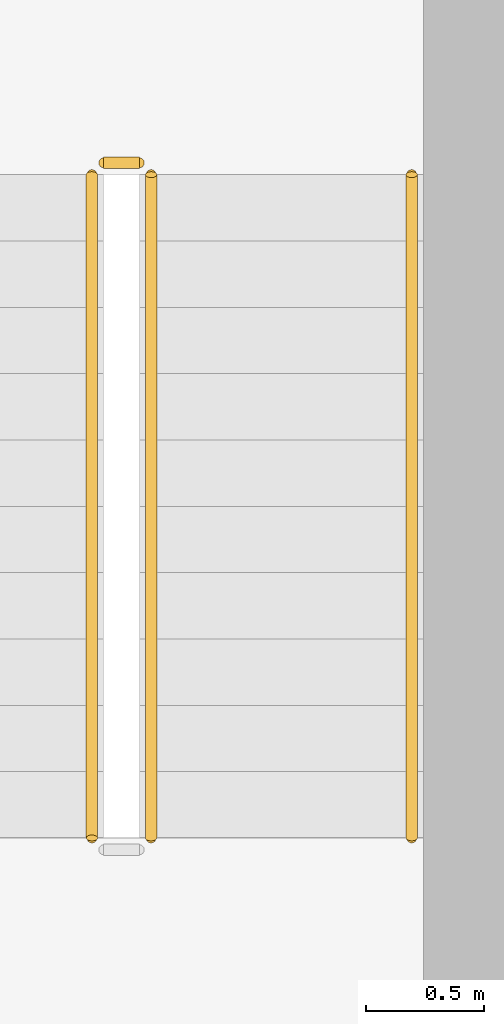
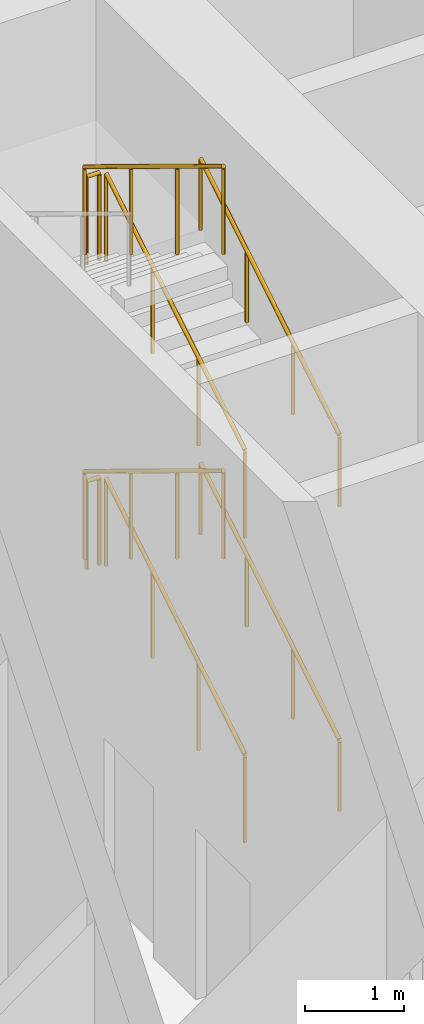
# One storey, part 36 of 37: 8 railings.
"""IFC4 building model written with IfcOpenShell, lengths in metres."""

from ifc_helpers import new_model, si_unit, direction, frame, origin, origin_2d, place, context, subcontext, project, spatial, circle, extrude, material, type_object, element, save


model = new_model("IFC4")

# Units and contexts
model_context = context("Model", 3, precision=1e-05, world=origin(), true_north=direction((0.0, 1.0)))
body_context = subcontext(model_context, "Body", "Model", "MODEL_VIEW")
ifc_project = project(units=[si_unit("LENGTHUNIT", "METRE"), si_unit("AREAUNIT", "SQUARE_METRE"), si_unit("VOLUMEUNIT", "CUBIC_METRE"), si_unit("PLANEANGLEUNIT", "RADIAN"), si_unit("MASSUNIT", "GRAM", prefix="KILO")], contexts=[model_context])

# Site, building, storey
site_placement = place(None, origin())
site = spatial("IfcSite", under=ifc_project, at=site_placement, CompositionType="ELEMENT")
building_placement = place(site_placement, origin())
building = spatial("IfcBuilding", under=site, at=building_placement, Name="Aloe Facet Convention Tower", CompositionType="ELEMENT")
storey_placement = place(building_placement, origin())
storey = spatial("IfcBuildingStorey", under=building, at=storey_placement, Name="L00", CompositionType="ELEMENT", Elevation=0.0)

# Railings
ifc_material_1 = material(Name="Steel S355 balustrade", Category="steel")
railing_type_1 = type_object("IfcRailingType", Name="CR-RL-GUARD", PredefinedType="GUARDRAIL", material=ifc_material_1)
railing_1_placement = place(storey_placement, frame((89.25, 128.949951171875, 0.17041015625)))
element("IfcRailing", 1, at=railing_1_placement, inside=storey, type_object=railing_type_1, Name="L00 ST2 stair guard 1", PredefinedType="GUARDRAIL", context=body_context, shape_type="SweptSolid", body=[
    extrude(circle(Radius=0.02392578125, at=origin_2d()), frame((0.0, 0.0, 1.076171875), z_axis=(0.0, 0.854169791009, 0.51999420009), x_axis=(-1.0, 0.0, 0.0)), (0.0, 0.0, 1.0), 3.278076171875),
    extrude(circle(Radius=0.02099609375, at=origin_2d()), origin(), (0.0, 0.0, 1.0), 1.052001953125),
    extrude(circle(Radius=0.02099609375, at=origin_2d()), frame((0.0, 0.933349609375, 0.568115234375)), (0.0, 0.0, 1.0), 1.052001953125),
    extrude(circle(Radius=0.02099609375, at=origin_2d()), frame((0.0, 1.86669921875, 1.136474609375)), (0.0, 0.0, 1.0), 1.052001953125),
    extrude(circle(Radius=0.02099609375, at=origin_2d()), frame((0.0, 2.800048828125, 1.70458984375)), (0.0, 0.0, 1.0), 1.052001953125),
])
railing_2_placement = place(storey_placement, frame((89.199951171875, 131.800048828125, 1.875)))
element("IfcRailing", 2, at=railing_2_placement, inside=storey, type_object=railing_type_1, Name="L00 ST2 stair guard 2", PredefinedType="GUARDRAIL", context=body_context, shape_type="SweptSolid", body=[
    extrude(circle(Radius=0.02392578125, at=origin_2d()), frame((0.0, 0.0, 1.076171875), z_axis=(-1.0, 0.0, 0.0), x_axis=(0.0, -1.0, 0.0)), (0.0, 0.0, 1.0), 0.14990234375),
    extrude(circle(Radius=0.02099609375, at=origin_2d()), origin(), (0.0, 0.0, 1.0), 1.052001953125),
    extrude(circle(Radius=0.02099609375, at=origin_2d()), frame((-0.14990234375, 0.0, 0.0)), (0.0, 0.0, 1.0), 1.052001953125),
])
railing_3_placement = place(storey_placement, frame((89.0, 131.75, 2.04541015625)))
element("IfcRailing", 3, at=railing_3_placement, inside=storey, type_object=railing_type_1, Name="L00 ST2 stair guard 3", PredefinedType="GUARDRAIL", context=body_context, shape_type="SweptSolid", body=[
    extrude(circle(Radius=0.02392578125, at=origin_2d()), frame((0.0, 0.0, 1.076171875), z_axis=(0.0, -0.854169791009, 0.51999420009), x_axis=(1.0, 0.0, 0.0)), (0.0, 0.0, 1.0), 3.278076171875),
    extrude(circle(Radius=0.02099609375, at=origin_2d()), origin(), (0.0, 0.0, 1.0), 1.052001953125),
    extrude(circle(Radius=0.02099609375, at=origin_2d()), frame((0.0, -0.933349609375, 0.568115234375)), (0.0, 0.0, 1.0), 1.052001953125),
    extrude(circle(Radius=0.02099609375, at=origin_2d()), frame((0.0, -1.86669921875, 1.136474609375)), (0.0, 0.0, 1.0), 1.052001953125),
    extrude(circle(Radius=0.02099609375, at=origin_2d()), frame((0.0, -2.800048828125, 1.70458984375)), (0.0, 0.0, 1.0), 1.052001953125),
])
railing_4_placement = place(storey_placement, frame((89.25, 128.949951171875, 3.92041015625)))
element("IfcRailing", 4, at=railing_4_placement, inside=storey, type_object=railing_type_1, Name="L00 ST2 stair guard 5", PredefinedType="GUARDRAIL", context=body_context, shape_type="SweptSolid", body=[
    extrude(circle(Radius=0.02392578125, at=origin_2d()), frame((0.0, 0.0, 1.076171875), z_axis=(0.0, 0.854169791009, 0.51999420009), x_axis=(-1.0, 0.0, 0.0)), (0.0, 0.0, 1.0), 3.278076171875),
    extrude(circle(Radius=0.02099609375, at=origin_2d()), origin(), (0.0, 0.0, 1.0), 1.052001953125),
    extrude(circle(Radius=0.02099609375, at=origin_2d()), frame((0.0, 0.933349609375, 0.568115234375)), (0.0, 0.0, 1.0), 1.052001953125),
    extrude(circle(Radius=0.02099609375, at=origin_2d()), frame((0.0, 1.86669921875, 1.136474609375)), (0.0, 0.0, 1.0), 1.052001953125),
    extrude(circle(Radius=0.02099609375, at=origin_2d()), frame((0.0, 2.800048828125, 1.70458984375)), (0.0, 0.0, 1.0), 1.052001953125),
])
railing_5_placement = place(storey_placement, frame((89.199951171875, 131.800048828125, 5.625)))
element("IfcRailing", 5, at=railing_5_placement, inside=storey, type_object=railing_type_1, Name="L00 ST2 stair guard 6", PredefinedType="GUARDRAIL", context=body_context, shape_type="SweptSolid", body=[
    extrude(circle(Radius=0.02392578125, at=origin_2d()), frame((0.0, 0.0, 1.076171875), z_axis=(-1.0, 0.0, 0.0), x_axis=(0.0, -1.0, 0.0)), (0.0, 0.0, 1.0), 0.14990234375),
    extrude(circle(Radius=0.02099609375, at=origin_2d()), origin(), (0.0, 0.0, 1.0), 1.052001953125),
    extrude(circle(Radius=0.02099609375, at=origin_2d()), frame((-0.14990234375, 0.0, 0.0)), (0.0, 0.0, 1.0), 1.052001953125),
])
railing_6_placement = place(storey_placement, frame((89.0, 131.75, 5.79541015625)))
element("IfcRailing", 6, at=railing_6_placement, inside=storey, type_object=railing_type_1, Name="L00 ST2 stair guard 7", PredefinedType="GUARDRAIL", context=body_context, shape_type="SweptSolid", body=[
    extrude(circle(Radius=0.02392578125, at=origin_2d()), frame((0.0, 0.0, 1.076171875), z_axis=(0.0, -0.854169791009, 0.51999420009), x_axis=(1.0, 0.0, 0.0)), (0.0, 0.0, 1.0), 3.278076171875),
    extrude(circle(Radius=0.02099609375, at=origin_2d()), origin(), (0.0, 0.0, 1.0), 1.052001953125),
    extrude(circle(Radius=0.02099609375, at=origin_2d()), frame((0.0, -0.933349609375, 0.568115234375)), (0.0, 0.0, 1.0), 1.052001953125),
    extrude(circle(Radius=0.02099609375, at=origin_2d()), frame((0.0, -1.86669921875, 1.136474609375)), (0.0, 0.0, 1.0), 1.052001953125),
    extrude(circle(Radius=0.02099609375, at=origin_2d()), frame((0.0, -2.800048828125, 1.70458984375)), (0.0, 0.0, 1.0), 1.052001953125),
])
ifc_material_2 = material(Name="Steel S355 handrail", Category="steel")
railing_type_2 = type_object("IfcRailingType", Name="CR-RL-HAND", PredefinedType="HANDRAIL", material=ifc_material_2)
for number, where, name in (
    (7, (90.35009765625, 128.949951171875, 0.17041015625), "L00 ST2 stair handrail 1"),
    (8, (90.35009765625, 128.949951171875, 3.92041015625), "L00 ST2 stair handrail 3"),
):
    element("IfcRailing", number, at=place(storey_placement, frame(where)), inside=storey, type_object=railing_type_2, Name=name, PredefinedType="HANDRAIL", context=body_context, shape_type="SweptSolid", body=[
        extrude(circle(Radius=0.02392578125, at=origin_2d()), frame((0.0, 0.0, 0.8759765625), z_axis=(0.0, 0.854169791009, 0.51999420009), x_axis=(-1.0, 0.0, 0.0)), (0.0, 0.0, 1.0), 3.278076171875),
        extrude(circle(Radius=0.02099609375, at=origin_2d()), origin(), (0.0, 0.0, 1.0), 0.851806640625),
        extrude(circle(Radius=0.02099609375, at=origin_2d()), frame((0.0, 0.933349609375, 0.568115234375)), (0.0, 0.0, 1.0), 0.851806640625),
        extrude(circle(Radius=0.02099609375, at=origin_2d()), frame((0.0, 1.86669921875, 1.136474609375)), (0.0, 0.0, 1.0), 0.851806640625),
        extrude(circle(Radius=0.02099609375, at=origin_2d()), frame((0.0, 2.800048828125, 1.70458984375)), (0.0, 0.0, 1.0), 0.851806640625),
    ])

save(model, "model.ifc")
